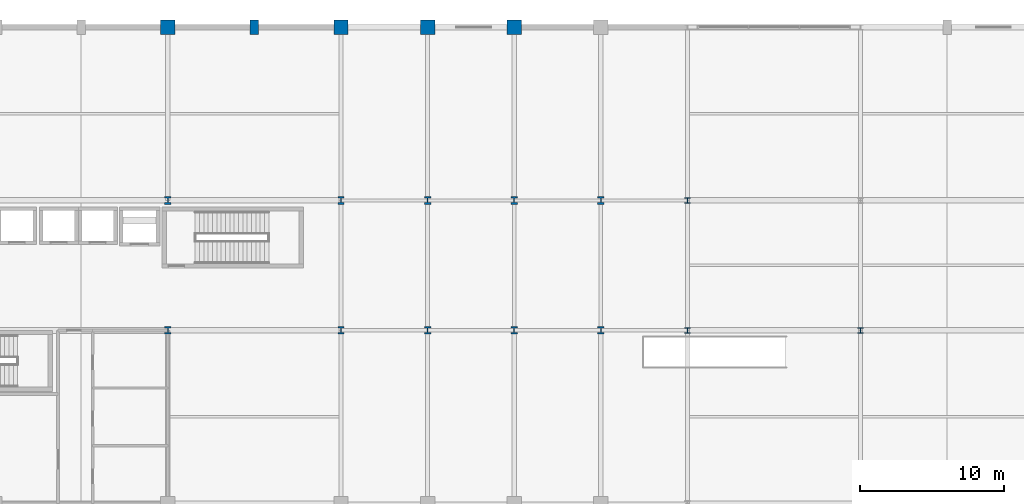
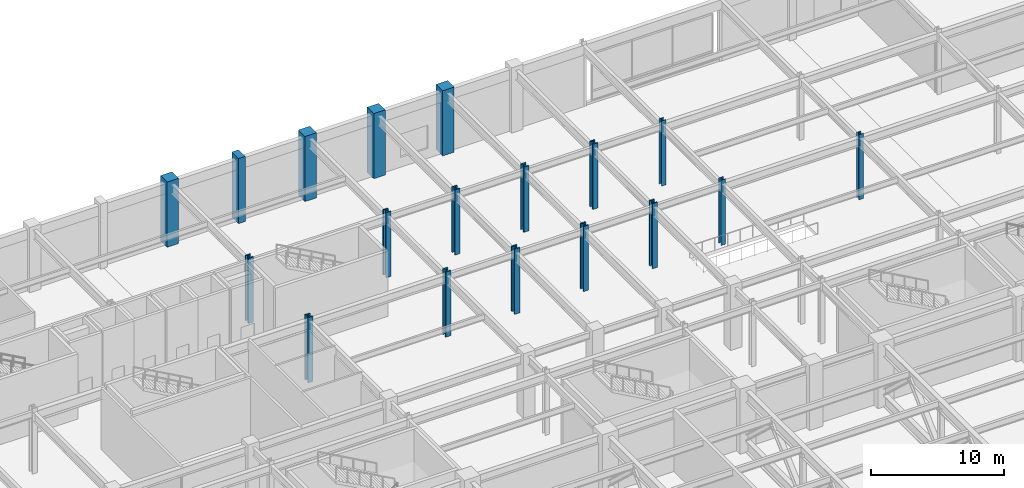
# One storey, part 12 of 108: 18 columns.
"""IFC4 building model written with IfcOpenShell, lengths in metres."""

from ifc_helpers import new_model, si_unit, direction, frame, origin, origin_2d, place, context, subcontext, project, spatial, rectangle, i_section, extrude, material, material_profile, profile_set, type_object, element, save


model = new_model("IFC4")

# Units and contexts
model_context = context("Model", 3, precision=1e-05, world=origin(), true_north=direction((0.0, 1.0)))
body_context = subcontext(model_context, "Body", "Model", "MODEL_VIEW")
ifc_project = project(units=[si_unit("LENGTHUNIT", "METRE"), si_unit("AREAUNIT", "SQUARE_METRE"), si_unit("VOLUMEUNIT", "CUBIC_METRE"), si_unit("PLANEANGLEUNIT", "RADIAN"), si_unit("MASSUNIT", "GRAM", prefix="KILO")], contexts=[model_context])

# Site, building, storey
site_placement = place(None, origin())
site = spatial("IfcSite", under=ifc_project, at=site_placement, CompositionType="ELEMENT")
building_placement = place(site_placement, origin())
building = spatial("IfcBuilding", under=site, at=building_placement, Name="Kaldorvane Square Convention Centre", CompositionType="ELEMENT")
storey_placement = place(building_placement, frame((0.0, 0.0, 12.0)))
storey = spatial("IfcBuildingStorey", under=building, at=storey_placement, Name="L02", CompositionType="ELEMENT", Elevation=12.0)

# Columns
ifc_material_1 = material(Name="Concrete f'c = 55 MPa (Normalweight)", Category="concrete")
ifc_material_profile_1 = material_profile(ifc_material_1, rectangle(XDim=1.0, YDim=1.0, at=origin_2d()), Name="RC1000X1000")
ifc_profile_set_1 = profile_set([ifc_material_profile_1], Name="Concrete f'c = 55 MPa (Normalweight)")
column_type_1 = type_object("IfcColumnType", Name="COL-RC-1000", PredefinedType="COLUMN", material=ifc_profile_set_1)
for number, where, z_axis, x_axis, name in (
    (1, (66.0, 117.0, 0.0), (0.0, 0.0, 1.0), (1.0, 0.0, 0.0), "Column CC-02 (L02)"),
    (2, (78.0, 117.0, 0.0), (0.0, 0.0, 1.0), (1.0, 0.0, 0.0), "Column CC-02 (L02)"),
    (3, (84.0, 117.0, 0.0), (0.0, 0.0, 1.0), (1.0, 0.0, 0.0), "Column CC-02 (L02)"),
    (4, (90.0, 117.0, 0.0), (0.0, 0.0, 1.0), (1.0, 0.0, 0.0), "Column CC-02 (L02)"),
):
    element("IfcColumn", number, at=place(storey_placement, frame(where, z_axis=z_axis, x_axis=x_axis)), inside=storey, type_object=column_type_1, Name=name, PredefinedType="COLUMN", context=body_context, shape_type="SweptSolid", body=[
        extrude(rectangle(XDim=1.0, YDim=1.0, at=origin_2d()), origin(), (0.0, 0.0, 1.0), 6.0),
    ])
ifc_material_2 = material(Name="Steel ASTM A992 Gr. 50", Category="steel")
ifc_material_profile_2 = material_profile(ifc_material_2, i_section(OverallWidth=0.393707275390625, OverallDepth=0.375396728515625, WebThickness=0.017303466796875, FlangeThickness=0.0276947021484375, FilletRadius=0.0305023193359375, at=origin_2d()), Name="W14X145")
ifc_profile_set_2 = profile_set([ifc_material_profile_2], Name="Steel ASTM A992 Gr. 50")
column_type_2 = type_object("IfcColumnType", Name="COL-STL-145", PredefinedType="COLUMN", material=ifc_profile_set_2)
for number, where, z_axis, x_axis, name in (
    (5, (102.0, 96.0, 0.0), (0.0, 0.0, 1.0), (1.0, 0.0, 0.0), "Column SC-10 (L02)"),
    (6, (102.0, 105.0, 0.0), (0.0, 0.0, 1.0), (1.0, 0.0, 0.0), "Column SC-10 (L02)"),
    (7, (114.0, 96.0, 0.0), (0.0, 0.0, 1.0), (1.0, 0.0, 0.0), "Column SC-10 (L02)"),
):
    element("IfcColumn", number, at=place(storey_placement, frame(where, z_axis=z_axis, x_axis=x_axis)), inside=storey, type_object=column_type_2, Name=name, PredefinedType="COLUMN", context=body_context, shape_type="SweptSolid", body=[
        extrude(i_section(OverallWidth=0.393707275390625, OverallDepth=0.375396728515625, WebThickness=0.017303466796875, FlangeThickness=0.0276947021484375, FilletRadius=0.0305023193359375, at=origin_2d()), origin(), (0.0, 0.0, 1.0), 6.0),
    ])
ifc_material_profile_3 = material_profile(ifc_material_2, i_section(OverallWidth=0.4420013427734375, OverallDepth=0.531402587890625, WebThickness=0.0657958984375, FlangeThickness=0.1056976318359375, FilletRadius=0.0305023193359375, at=origin_2d()), Name="W14X605")
ifc_profile_set_3 = profile_set([ifc_material_profile_3], Name="Steel ASTM A992 Gr. 50")
column_type_3 = type_object("IfcColumnType", Name="COL-STL-605", PredefinedType="COLUMN", material=ifc_profile_set_3)
for number, where, z_axis, x_axis, name in (
    (8, (66.0, 96.0, 0.0), (0.0, 0.0, 1.0), (1.0, 0.0, 0.0), "Column SC-02 (L02)"),
    (9, (66.0, 105.0, 0.0), (0.0, 0.0, 1.0), (1.0, 0.0, 0.0), "Column SC-02 (L02)"),
    (10, (78.0, 96.0, 0.0), (0.0, 0.0, 1.0), (1.0, 0.0, 0.0), "Column SC-02 (L02)"),
    (11, (78.0, 105.0, 0.0), (0.0, 0.0, 1.0), (1.0, 0.0, 0.0), "Column SC-02 (L02)"),
    (12, (84.0, 96.0, 0.0), (0.0, 0.0, 1.0), (1.0, 0.0, 0.0), "Column SC-02 (L02)"),
    (13, (84.0, 105.0, 0.0), (0.0, 0.0, 1.0), (1.0, 0.0, 0.0), "Column SC-02 (L02)"),
    (14, (90.0, 96.0, 0.0), (0.0, 0.0, 1.0), (1.0, 0.0, 0.0), "Column SC-02 (L02)"),
    (15, (90.0, 105.0, 0.0), (0.0, 0.0, 1.0), (1.0, 0.0, 0.0), "Column SC-02 (L02)"),
    (16, (96.0, 96.0, 0.0), (0.0, 0.0, 1.0), (1.0, 0.0, 0.0), "Column SC-02 (L02)"),
    (17, (96.0, 105.0, 0.0), (0.0, 0.0, 1.0), (1.0, 0.0, 0.0), "Column SC-02 (L02)"),
):
    element("IfcColumn", number, at=place(storey_placement, frame(where, z_axis=z_axis, x_axis=x_axis)), inside=storey, type_object=column_type_3, Name=name, PredefinedType="COLUMN", context=body_context, shape_type="SweptSolid", body=[
        extrude(i_section(OverallWidth=0.4420013427734375, OverallDepth=0.531402587890625, WebThickness=0.0657958984375, FlangeThickness=0.1056976318359375, FilletRadius=0.0305023193359375, at=origin_2d()), origin(), (0.0, 0.0, 1.0), 6.0),
    ])
ifc_material_profile_4 = material_profile(ifc_material_1, rectangle(XDim=0.600006103515625, YDim=1.0, at=origin_2d()), Name="PIL1000X600")
ifc_profile_set_4 = profile_set([ifc_material_profile_4], Name="Concrete f'c = 55 MPa (Normalweight)")
column_type_4 = type_object("IfcColumnType", Name="PIL-BRUT-1000", PredefinedType="PILASTER", material=ifc_profile_set_4)
column_placement = place(storey_placement, frame((72.0, 117.0, 0.0), z_axis=(0.0, 0.0, 1.0), x_axis=(1.0, 0.0, 0.0)))
element("IfcColumn", 18, at=column_placement, inside=storey, type_object=column_type_4, Name="Brutalist Colonnade Pilaster (L02)", PredefinedType="PILASTER", context=body_context, shape_type="SweptSolid", body=[
    extrude(rectangle(XDim=0.600006103515625, YDim=1.0, at=origin_2d()), origin(), (0.0, 0.0, 1.0), 6.0),
])

save(model, "model.ifc")
